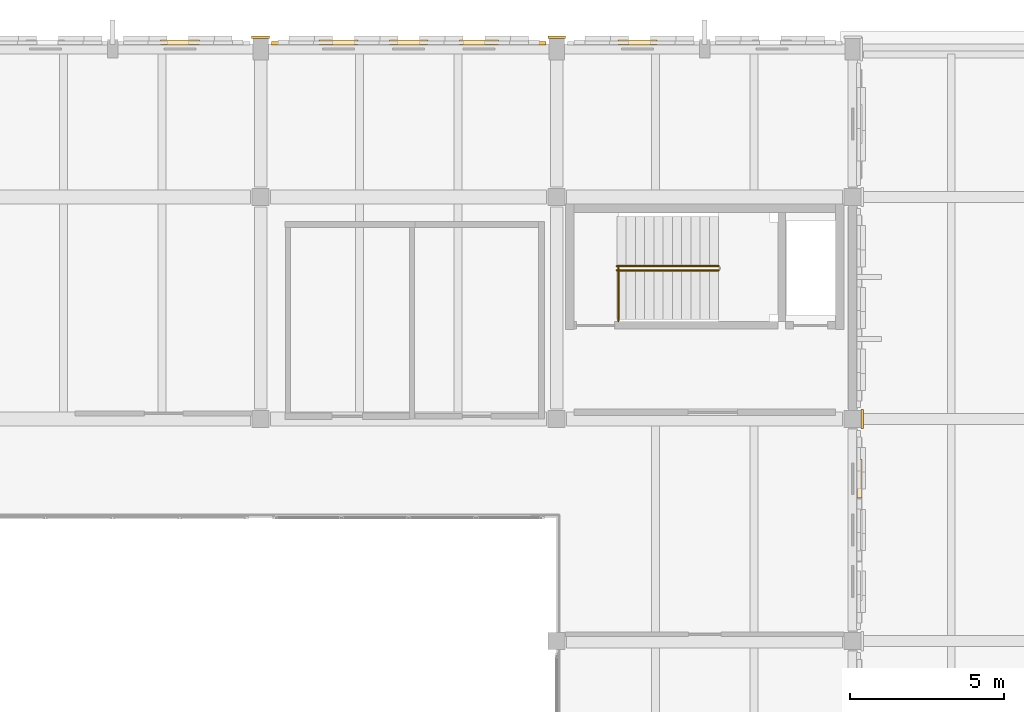
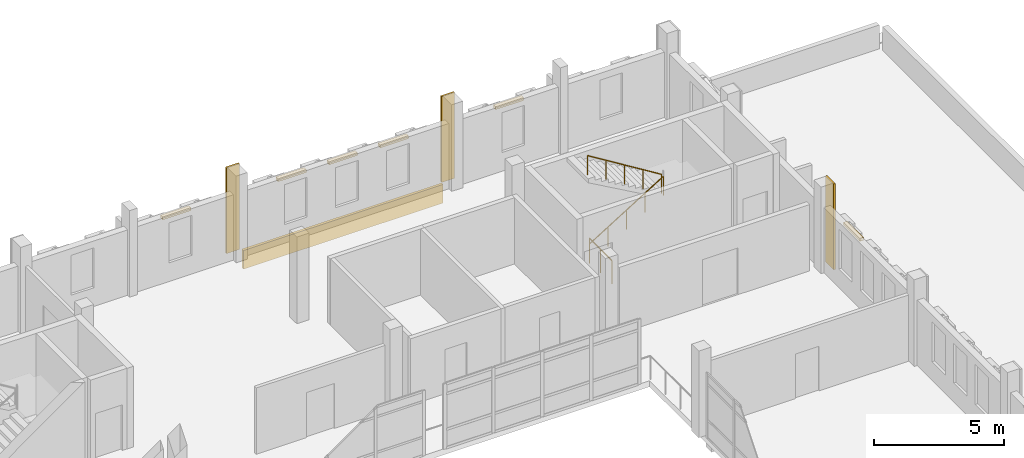
# One storey, part 46 of 50: 10 coverings, 3 railings.
"""IFC4 building model written with IfcOpenShell, lengths in metres."""

from ifc_helpers import new_model, si_unit, direction, frame, origin, origin_2d, place, context, subcontext, project, spatial, rectangle, circle, extrude, material, layer, layer_set, type_object, element, save


model = new_model("IFC4")

# Units and contexts
model_context = context("Model", 3, precision=1e-05, world=origin(), true_north=direction((0.0, 1.0)))
body_context = subcontext(model_context, "Body", "Model", "MODEL_VIEW")
ifc_project = project(units=[si_unit("LENGTHUNIT", "METRE"), si_unit("AREAUNIT", "SQUARE_METRE"), si_unit("VOLUMEUNIT", "CUBIC_METRE"), si_unit("PLANEANGLEUNIT", "RADIAN"), si_unit("MASSUNIT", "GRAM", prefix="KILO")], contexts=[model_context])

# Site, building, storey
site_placement = place(None, origin())
site = spatial("IfcSite", under=ifc_project, at=site_placement, CompositionType="ELEMENT")
building_placement = place(site_placement, origin())
building = spatial("IfcBuilding", under=site, at=building_placement, Name="Asteropetra Specialist Clinic", CompositionType="ELEMENT")
storey_placement = place(building_placement, frame((0.0, 0.0, 16.659912109375)))
storey = spatial("IfcBuildingStorey", under=building, at=storey_placement, Name="L04", CompositionType="ELEMENT", Elevation=16.659912109375)

# Coverings
ifc_material_1 = material(Name="Chevron ivory")
ifc_layer_1 = layer(ifc_material_1, 0.1201171875)
ifc_layer_set_1 = layer_set([ifc_layer_1], Name="Chevron ivory")
covering_type_1 = type_object("IfcCoveringType", Name="CLD-TER-IVORY", PredefinedType="CLADDING", material=ifc_layer_set_1)
covering_1_placement = place(storey_placement, frame((24.0, 110.5849609375, -0.7998046875), z_axis=(0.0, 0.0, 1.0), x_axis=(1.0, 0.0, 0.0)))
element("IfcCovering", 1, at=covering_1_placement, inside=storey, type_object=covering_type_1, Name="Chevron Spandrel Band CV-1603", PredefinedType="CLADDING", context=body_context, shape_type="SweptSolid", body=[
    extrude(rectangle(XDim=8.89990234375, YDim=0.1201171875, at=origin_2d()), origin(), (0.0, 0.0, 1.0), 0.8798828125),
])
ifc_material_2 = material(Name="Pentelic marble ashlar", Category="masonry")
ifc_layer_2 = layer(ifc_material_2, 0.159912109375)
ifc_layer_set_2 = layer_set([ifc_layer_2], Name="Pentelic marble ashlar")
covering_type_2 = type_object("IfcCoveringType", Name="CRN-ENTAB-600", PredefinedType="MOLDING", material=ifc_layer_set_2)
for number, where, z_axis, x_axis, name in (
    (2, (19.199951171875, 110.781982421875, 0.02001953125), (0.0, 0.0, 1.0), (1.0, 0.0, 0.0), "Neoclassical Pilaster Facing CM-0712"),
    (3, (28.800048828125, 110.781982421875, 0.02001953125), (0.0, 0.0, 1.0), (1.0, 0.0, 0.0), "Neoclassical Pilaster Facing CM-0714"),
):
    element("IfcCovering", number, at=place(storey_placement, frame(where, z_axis=z_axis, x_axis=x_axis)), inside=storey, type_object=covering_type_2, Name=name, PredefinedType="MOLDING", context=body_context, shape_type="SweptSolid", body=[
        extrude(rectangle(XDim=0.580078125, YDim=0.080078125, at=origin_2d()), origin(), (0.0, 0.0, 1.0), 4.0400390625),
    ])
covering_2_placement = place(storey_placement, frame((38.70703125, 98.39990234375, 0.02001953125), z_axis=(0.0, 0.0, 1.0), x_axis=(1.0, 0.0, 0.0)))
element("IfcCovering", 4, at=covering_2_placement, inside=storey, type_object=covering_type_2, Name="Neoclassical Pilaster Facing CM-0719", PredefinedType="MOLDING", context=body_context, shape_type="SweptSolid", body=[
    extrude(rectangle(XDim=0.080078125, YDim=0.6298828125, at=origin_2d()), origin(), (0.0, 0.0, 1.0), 4.0400390625),
])
for number, where, z_axis, x_axis, name in (
    (5, (16.583984375, 110.614990234375, 2.77001953125), (0.0, 0.0, 1.0), (1.0, 0.0, 0.0), "Classical Window Hood WH-1589"),
    (6, (26.27490234375, 110.614990234375, 2.77001953125), (0.0, 0.0, 1.0), (1.0, 0.0, 0.0), "Classical Window Hood WH-1600"),
    (7, (24.0, 110.614990234375, 2.77001953125), (0.0, 0.0, 1.0), (1.0, 0.0, 0.0), "Classical Window Hood WH-1601"),
    (8, (21.72509765625, 110.614990234375, 2.77001953125), (0.0, 0.0, 1.0), (1.0, 0.0, 0.0), "Classical Window Hood WH-1602"),
    (9, (31.416015625, 110.614990234375, 2.77001953125), (0.0, 0.0, 1.0), (1.0, 0.0, 0.0), "Classical Window Hood WH-1614"),
):
    element("IfcCovering", number, at=place(storey_placement, frame(where, z_axis=z_axis, x_axis=x_axis)), inside=storey, type_object=covering_type_2, Name=name, PredefinedType="MOLDING", context=body_context, shape_type="SweptSolid", body=[
        extrude(rectangle(XDim=1.260009765625, YDim=0.159912109375, at=origin_2d()), origin(), (0.0, 0.0, 1.0), 0.139892578125),
    ])
covering_3_placement = place(storey_placement, frame((38.614990234375, 96.46240234375, 2.77001953125), z_axis=(0.0, 0.0, 1.0), x_axis=(1.0, 0.0, 0.0)))
element("IfcCovering", 10, at=covering_3_placement, inside=storey, type_object=covering_type_2, Name="Classical Window Hood WH-1670", PredefinedType="MOLDING", context=body_context, shape_type="SweptSolid", body=[
    extrude(rectangle(XDim=0.159912109375, YDim=1.260009765625, at=origin_2d()), origin(), (0.0, 0.0, 1.0), 0.139892578125),
])

# Railings
ifc_material_3 = material(Name="Steel S355 and laminated glass guard", Category="steel")
railing_type_1 = type_object("IfcRailingType", Name="GRD-INT-1120", PredefinedType="GUARDRAIL", material=ifc_material_3)
railing_1_placement = place(storey_placement, frame((30.800048828125, 101.580078125, 0.0)))
element("IfcRailing", 11, at=railing_1_placement, inside=storey, type_object=railing_type_1, Name="Stair Well Guard ST02-L03", PredefinedType="GUARDRAIL", context=body_context, shape_type="SweptSolid", body=[
    extrude(circle(Radius=0.02392578125, at=origin_2d()), frame((0.0, 0.0, 1.09619140625), z_axis=(0.0, 1.0, 0.0), x_axis=(-1.0, 0.0, 0.0)), (0.0, 0.0, 1.0), 1.72998046875),
    extrude(circle(Radius=0.02099609375, at=origin_2d()), origin(), (0.0, 0.0, 1.0), 1.072021484375),
    extrude(circle(Radius=0.02099609375, at=origin_2d()), frame((0.0, 0.864990234375, 0.0)), (0.0, 0.0, 1.0), 1.072021484375),
    extrude(circle(Radius=0.02099609375, at=origin_2d()), frame((0.0, 1.72998046875, 0.0)), (0.0, 0.0, 1.0), 1.072021484375),
])
ifc_material_4 = material(Name="Brushed stainless steel handrail", Category="steel")
railing_type_2 = type_object("IfcRailingType", Name="HRL-STAIR-920", PredefinedType="HANDRAIL", material=ifc_material_4)
railing_2_placement = place(storey_placement, frame((30.75, 103.219970703125, 0.0)))
element("IfcRailing", 12, at=railing_2_placement, inside=storey, type_object=railing_type_2, Name="Stair Handrail ST02-L04 F1", PredefinedType="HANDRAIL", context=body_context, shape_type="SweptSolid", body=[
    extrude(circle(Radius=0.02392578125, at=origin_2d()), frame((0.0, 0.0, 0.89599609375), z_axis=(0.850593546085, 0.0, 0.525823753132), x_axis=(0.0, 1.0, 0.0)), (0.0, 0.0, 1.0), 3.879638671875),
    extrude(circle(Radius=0.02099609375, at=origin_2d()), origin(), (0.0, 0.0, 1.0), 0.871826171875),
    extrude(circle(Radius=0.02099609375, at=origin_2d()), frame((0.824951171875, 0.0, 0.510009765625)), (0.0, 0.0, 1.0), 0.871826171875),
    extrude(circle(Radius=0.02099609375, at=origin_2d()), frame((1.64990234375, 0.0, 1.02001953125)), (0.0, 0.0, 1.0), 0.871826171875),
    extrude(circle(Radius=0.02099609375, at=origin_2d()), frame((2.47509765625, 0.0, 1.530029296875)), (0.0, 0.0, 1.0), 0.871826171875),
    extrude(circle(Radius=0.02099609375, at=origin_2d()), frame((3.300048828125, 0.0, 2.0400390625)), (0.0, 0.0, 1.0), 0.871826171875),
])
railing_3_placement = place(storey_placement, frame((34.050048828125, 103.360107421875, 2.0400390625)))
element("IfcRailing", 13, at=railing_3_placement, inside=storey, type_object=railing_type_2, Name="Stair Handrail ST02-L04 F2", PredefinedType="HANDRAIL", context=body_context, shape_type="SweptSolid", body=[
    extrude(circle(Radius=0.02392578125, at=origin_2d()), frame((0.0, 0.0, 0.89599609375), z_axis=(-0.850593546085, 0.0, 0.525823753132), x_axis=(0.0, -1.0, 0.0)), (0.0, 0.0, 1.0), 3.879638671875),
    extrude(circle(Radius=0.02099609375, at=origin_2d()), origin(), (0.0, 0.0, 1.0), 0.871826171875),
    extrude(circle(Radius=0.02099609375, at=origin_2d()), frame((-0.824951171875, 0.0, 0.510009765625)), (0.0, 0.0, 1.0), 0.871826171875),
    extrude(circle(Radius=0.02099609375, at=origin_2d()), frame((-1.64990234375, 0.0, 1.02001953125)), (0.0, 0.0, 1.0), 0.871826171875),
    extrude(circle(Radius=0.02099609375, at=origin_2d()), frame((-2.47509765625, 0.0, 1.530029296875)), (0.0, 0.0, 1.0), 0.871826171875),
    extrude(circle(Radius=0.02099609375, at=origin_2d()), frame((-3.300048828125, 0.0, 2.0400390625)), (0.0, 0.0, 1.0), 0.871826171875),
])

save(model, "model.ifc")
